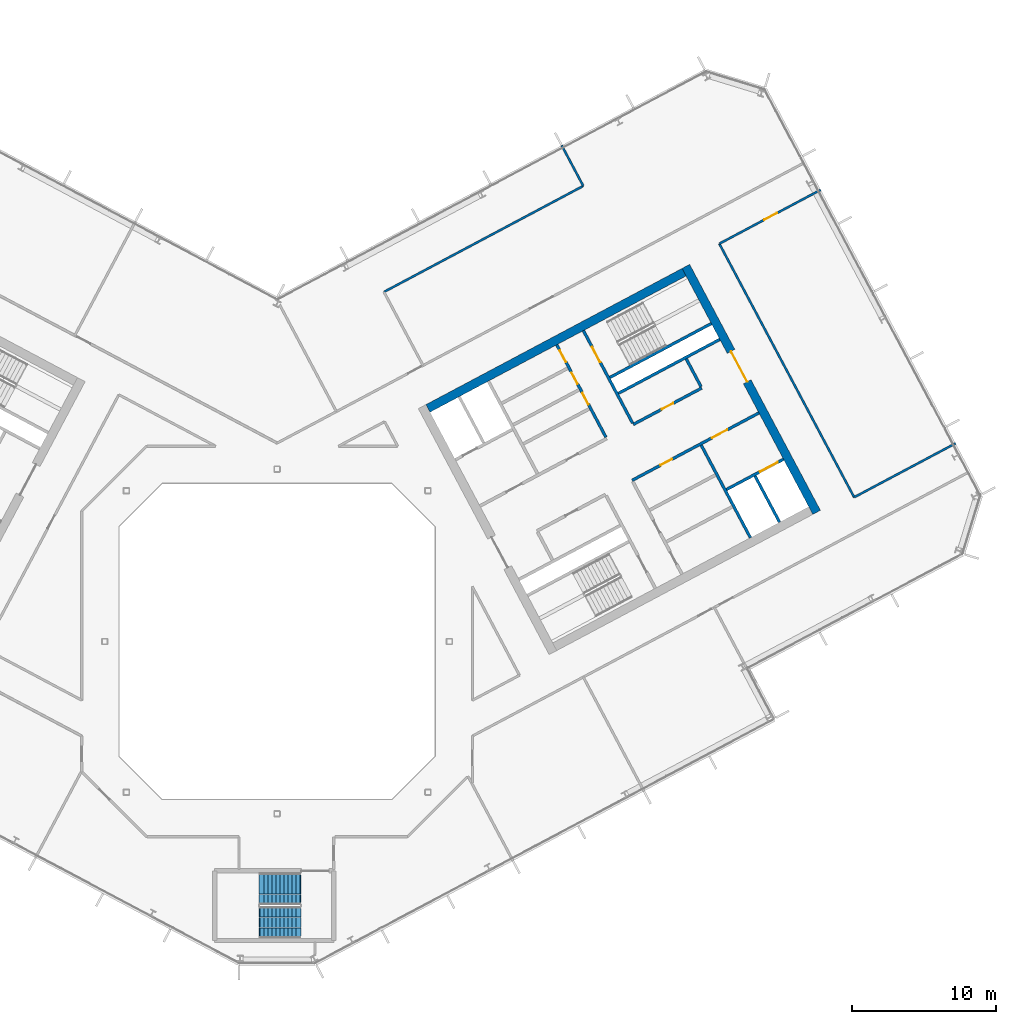
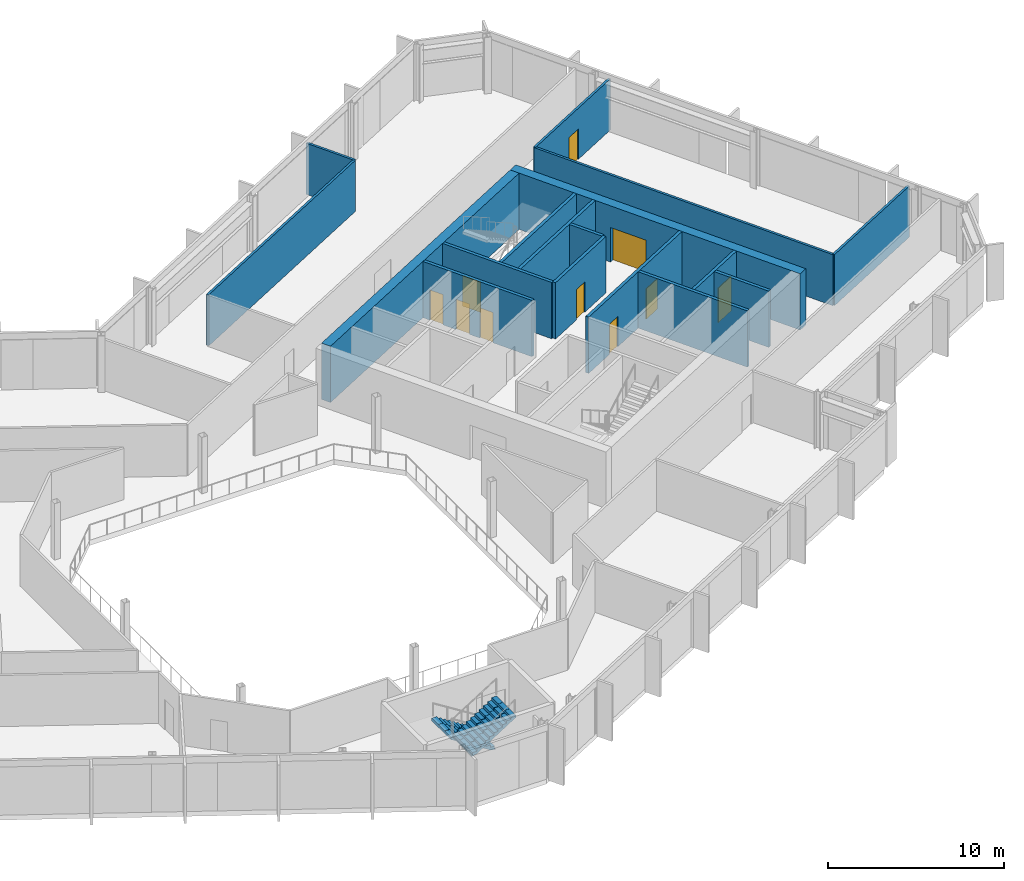
# One storey, part 17 of 27: 17 walls, 10 doors, 2 stair flights, 10 openings, 1 element without a shape of its own.
"""IFC4 building model written with IfcOpenShell, lengths in metres."""

from ifc_helpers import new_model, si_unit, direction, frame, frame_2d, origin, place, context, subcontext, project, spatial, polyline, rectangle, outline, extrude, material, layer, layer_set, type_object, element, fill, aggregate, save


model = new_model("IFC4")

# Units and contexts
model_context = context("Model", 3, precision=1e-05, world=origin(), true_north=direction((0.0, 1.0)))
body_context = subcontext(model_context, "Body", "Model", "MODEL_VIEW")
ifc_project = project(units=[si_unit("LENGTHUNIT", "METRE"), si_unit("AREAUNIT", "SQUARE_METRE"), si_unit("VOLUMEUNIT", "CUBIC_METRE"), si_unit("PLANEANGLEUNIT", "RADIAN"), si_unit("MASSUNIT", "GRAM", prefix="KILO")], contexts=[model_context])

# Site, building, storey
site_placement = place(None, origin())
site = spatial("IfcSite", under=ifc_project, at=site_placement, CompositionType="ELEMENT")
building_placement = place(site_placement, origin())
building = spatial("IfcBuilding", under=site, at=building_placement, Name="Cormorant Relay Tower", CompositionType="ELEMENT")
storey_placement = place(building_placement, frame((0.0, 0.0, 232.5)))
storey = spatial("IfcBuildingStorey", under=building, at=storey_placement, Name="L51", CompositionType="ELEMENT", Elevation=232.5)

# Wall, openings, doors
ifc_material_1 = material(Name="Concrete 50 MPa", Category="concrete")
ifc_layer_1 = layer(ifc_material_1, 0.199951171875)
ifc_layer_set_1 = layer_set([ifc_layer_1], Name="Core shaft wall 200")
wall_type_1 = type_object("IfcWallType", Name="Core shaft wall 200", PredefinedType="SHEAR", material=ifc_layer_set_1)
wall_1_placement = place(storey_placement, frame((22.90625, 14.218017578125, 0.0), z_axis=(0.0, 0.0, 1.0), x_axis=(-0.469480409012, 0.88294288918, 0.0)))
wall_1 = element("IfcWall", 1, at=wall_1_placement, inside=storey, type_object=wall_type_1, Name="L51 core B shaft wall", PredefinedType="SHEAR", context=body_context, shape_type="SweptSolid", body=[
    extrude(rectangle(XDim=7.300048828125, YDim=0.199951171875, at=frame_2d((3.64990234375, 0.0))), origin(), (0.0, 0.0, 1.0), 3.89990234375),
])
opening_1_placement = place(wall_1_placement, frame((2.60009765625, 0.0, 0.0)))
opening_1 = element("IfcOpeningElement", 2, at=opening_1_placement, cuts=wall_1, Name="Opening CDD-283", PredefinedType="OPENING", context=body_context, shape_type="SweptSolid", body=[
    extrude(rectangle(XDim=0.89990234375, YDim=2.10009765625, at=frame_2d((0.449951171875, 1.050048828125))), frame((0.0, 0.10986328125, 0.0), z_axis=(0.0, -1.0, 0.0), x_axis=(1.0, 0.0, 0.0)), (0.0, 0.0, 1.0), 0.219970703125),
])
opening_2_placement = place(wall_1_placement, frame((4.199951171875, 0.0, 0.0)))
opening_2 = element("IfcOpeningElement", 3, at=opening_2_placement, cuts=wall_1, Name="Opening CDD-284", PredefinedType="OPENING", context=body_context, shape_type="SweptSolid", body=[
    extrude(rectangle(XDim=0.89990234375, YDim=2.10009765625, at=frame_2d((0.449951171875, 1.050048828125))), frame((0.0, 0.10986328125, 0.0), z_axis=(0.0, -1.0, 0.0), x_axis=(1.0, 0.0, 0.0)), (0.0, 0.0, 1.0), 0.219970703125),
])
opening_3_placement = place(wall_1_placement, frame((5.949951171875, 0.0, 0.0)))
opening_3 = element("IfcOpeningElement", 4, at=opening_3_placement, cuts=wall_1, Name="Opening CDD-285", PredefinedType="OPENING", context=body_context, shape_type="SweptSolid", body=[
    extrude(rectangle(XDim=0.89990234375, YDim=2.10009765625, at=frame_2d((0.449951171875, 1.050048828125))), frame((0.0, 0.10986328125, 0.0), z_axis=(0.0, -1.0, 0.0), x_axis=(1.0, 0.0, 0.0)), (0.0, 0.0, 1.0), 0.219970703125),
])
ifc_material_2 = material(Name="Steel fire door", Category="steel")
door_type_1 = type_object("IfcDoorType", Name="Core room door 900x2100", OperationType="SINGLE_SWING_LEFT", PredefinedType="DOOR", material=ifc_material_2)
door_1_placement = place(opening_1_placement, origin())
door_1 = element("IfcDoor", 5, at=door_1_placement, inside=storey, type_object=door_type_1, Name="Core room door 900x2100", OperationType="SINGLE_SWING_RIGHT", OverallHeight=2.10009765625, OverallWidth=0.89990234375, PredefinedType="DOOR", context=body_context, shape_type="SweptSolid", body=[
    extrude(rectangle(XDim=0.89990234375, YDim=2.10009765625, at=frame_2d((0.449951171875, 1.050048828125))), frame((0.0, 0.02490234375, 0.0), z_axis=(0.0, -1.0, 0.0), x_axis=(1.0, 0.0, 0.0)), (0.0, 0.0, 1.0), 0.050048828125),
])
fill(opening_1, door_1)
door_2_placement = place(opening_2_placement, origin())
door_2 = element("IfcDoor", 6, at=door_2_placement, inside=storey, type_object=door_type_1, Name="Core room door 900x2100", OperationType="SINGLE_SWING_RIGHT", OverallHeight=2.10009765625, OverallWidth=0.89990234375, PredefinedType="DOOR", context=body_context, shape_type="SweptSolid", body=[
    extrude(rectangle(XDim=0.89990234375, YDim=2.10009765625, at=frame_2d((0.449951171875, 1.050048828125))), frame((0.0, 0.02490234375, 0.0), z_axis=(0.0, -1.0, 0.0), x_axis=(1.0, 0.0, 0.0)), (0.0, 0.0, 1.0), 0.050048828125),
])
fill(opening_2, door_2)
door_3_placement = place(opening_3_placement, origin())
door_3 = element("IfcDoor", 7, at=door_3_placement, inside=storey, type_object=door_type_1, Name="Core room door 900x2100", OperationType="SINGLE_SWING_LEFT", OverallHeight=2.10009765625, OverallWidth=0.89990234375, PredefinedType="DOOR", context=body_context, shape_type="SweptSolid", body=[
    extrude(rectangle(XDim=0.89990234375, YDim=2.10009765625, at=frame_2d((0.449951171875, 1.050048828125))), frame((0.0, 0.02490234375, 0.0), z_axis=(0.0, -1.0, 0.0), x_axis=(1.0, 0.0, 0.0)), (0.0, 0.0, 1.0), 0.050048828125),
])
fill(opening_3, door_3)

# Wall, opening, door
wall_2_placement = place(storey_placement, frame((24.760498046875, 15.2041015625, 0.0), z_axis=(0.0, 0.0, 1.0), x_axis=(-0.469494272526, 0.882935517501, 0.0)))
wall_2 = element("IfcWall", 8, at=wall_2_placement, inside=storey, type_object=wall_type_1, Name="L51 core B shaft wall", PredefinedType="SHEAR", context=body_context, shape_type="SweptSolid", body=[
    extrude(rectangle(XDim=7.2998046875, YDim=0.199951171875, at=frame_2d((3.64990234375, 0.0))), origin(), (0.0, 0.0, 1.0), 3.89990234375),
])
opening_4_placement = place(wall_2_placement, frame((4.800048828125, 0.0, 0.0)))
opening_4 = element("IfcOpeningElement", 9, at=opening_4_placement, cuts=wall_2, Name="Opening CDB-041", PredefinedType="OPENING", context=body_context, shape_type="SweptSolid", body=[
    extrude(rectangle(XDim=1.199951171875, YDim=2.10009765625, at=frame_2d((0.60009765625, 1.050048828125))), frame((0.0, 0.10986328125, 0.0), z_axis=(0.0, -1.0, 0.0), x_axis=(1.0, 0.0, 0.0)), (0.0, 0.0, 1.0), 0.219970703125),
])
ifc_material_3 = material(Name="Steel fire door", Category="steel")
door_type_2 = type_object("IfcDoorType", Name="Core stair door 1200x2100", OperationType="SINGLE_SWING_LEFT", PredefinedType="DOOR", material=ifc_material_3)
door_4_placement = place(opening_4_placement, frame((1.199951171875, 0.0, 0.0), z_axis=(0.0, 0.0, 1.0), x_axis=(-1.0, 0.0, 0.0)))
door_4 = element("IfcDoor", 10, at=door_4_placement, inside=storey, type_object=door_type_2, Name="Core stair door 1200x2100", OperationType="SINGLE_SWING_RIGHT", OverallHeight=2.10009765625, OverallWidth=1.199951171875, PredefinedType="DOOR", context=body_context, shape_type="SweptSolid", body=[
    extrude(rectangle(XDim=1.199951171875, YDim=2.10009765625, at=frame_2d((0.60009765625, 1.050048828125))), frame((0.0, 0.02490234375, 0.0), z_axis=(0.0, -1.0, 0.0), x_axis=(1.0, 0.0, 0.0)), (0.0, 0.0, 1.0), 0.050048828125),
])
fill(opening_4, door_4)

# Walls
wall_3_placement = place(storey_placement, frame((32.968017578125, 7.222900390625, 0.0), z_axis=(0.0, 0.0, 1.0), x_axis=(-0.469480409012, 0.88294288918, 0.0)))
element("IfcWall", 11, at=wall_3_placement, inside=storey, type_object=wall_type_1, Name="L51 core B shaft wall", PredefinedType="SHEAR", context=body_context, shape_type="SweptSolid", body=[
    extrude(rectangle(XDim=7.300048828125, YDim=0.199951171875, at=frame_2d((3.64990234375, 0.0))), origin(), (0.0, 0.0, 1.0), 3.89990234375),
])
wall_4_placement = place(storey_placement, frame((29.5283203125, 17.739013671875, 0.0), z_axis=(0.0, 0.0, 1.0), x_axis=(-0.469401318492, 0.882984938828, 0.0)))
element("IfcWall", 12, at=wall_4_placement, inside=storey, type_object=wall_type_1, Name="L51 core B shaft wall", PredefinedType="SHEAR", context=body_context, shape_type="SweptSolid", body=[
    extrude(rectangle(XDim=2.199951171875, YDim=0.199951171875, at=frame_2d((1.10009765625, 0.0))), origin(), (0.0, 0.0, 1.0), 3.89990234375),
])
wall_5_placement = place(storey_placement, frame((34.998779296875, 8.302734375, 0.0), z_axis=(0.0, 0.0, 1.0), x_axis=(-0.4694665462, 0.882950260207, 0.0)))
element("IfcWall", 13, at=wall_5_placement, inside=storey, type_object=wall_type_1, Name="L51 core B shaft wall", PredefinedType="SHEAR", context=body_context, shape_type="SweptSolid", body=[
    extrude(rectangle(XDim=3.650146484375, YDim=0.199951171875, at=frame_2d((1.8251953125, 0.0))), origin(), (0.0, 0.0, 1.0), 3.89990234375),
])

# Wall, opening, door
wall_6_placement = place(storey_placement, frame((31.295654296875, 10.5810546875, 0.0), z_axis=(0.0, 0.0, 1.0), x_axis=(0.882960433586, 0.469447412093, 0.0)))
wall_6 = element("IfcWall", 14, at=wall_6_placement, inside=storey, type_object=wall_type_1, Name="L51 core B shaft wall", PredefinedType="SHEAR", context=body_context, shape_type="SweptSolid", body=[
    extrude(rectangle(XDim=4.5, YDim=0.199951171875, at=frame_2d((2.25, 0.0))), origin(), (0.0, 0.0, 1.0), 3.89990234375),
])
opening_5_placement = place(wall_6_placement, frame((2.64990234375, 0.0, 0.0)))
opening_5 = element("IfcOpeningElement", 15, at=opening_5_placement, cuts=wall_6, Name="Opening LD3-016", PredefinedType="OPENING", context=body_context, shape_type="SweptSolid", body=[
    extrude(rectangle(XDim=1.39990234375, YDim=2.39990234375, at=frame_2d((0.699951171875, 1.199951171875))), frame((0.0, 0.10986328125, 0.0), z_axis=(0.0, -1.0, 0.0), x_axis=(1.0, 0.0, 0.0)), (0.0, 0.0, 1.0), 0.219970703125),
])
ifc_material_4 = material(Name="Stainless steel 316", Category="steel")
door_type_3 = type_object("IfcDoorType", Name="Lift landing door 1400x2400", OperationType="DOUBLE_DOOR_SLIDING", PredefinedType="DOOR", material=ifc_material_4)
door_5_placement = place(opening_5_placement, origin())
door_5 = element("IfcDoor", 16, at=door_5_placement, inside=storey, type_object=door_type_3, Name="SV2 landing door", OperationType="DOUBLE_DOOR_SLIDING", OverallHeight=2.39990234375, OverallWidth=1.39990234375, PredefinedType="DOOR", context=body_context, shape_type="SweptSolid", body=[
    extrude(rectangle(XDim=1.39990234375, YDim=2.39990234375, at=frame_2d((0.699951171875, 1.199951171875))), frame((0.0, 0.02490234375, 0.0), z_axis=(0.0, -1.0, 0.0), x_axis=(1.0, 0.0, 0.0)), (0.0, 0.0, 1.0), 0.050048828125),
])
fill(opening_5, door_5)

# Wall, openings, doors
wall_7_placement = place(storey_placement, frame((24.72607421875, 11.2216796875, 0.0), z_axis=(0.0, 0.0, 1.0), x_axis=(0.882940221191, 0.469485426614, 0.0)))
wall_7 = element("IfcWall", 17, at=wall_7_placement, inside=storey, type_object=wall_type_1, Name="L51 core B shaft wall", PredefinedType="SHEAR", context=body_context, shape_type="SweptSolid", body=[
    extrude(rectangle(XDim=10.0, YDim=0.199951171875, at=frame_2d((5.0, 0.0))), origin(), (0.0, 0.0, 1.0), 3.89990234375),
])
opening_6_placement = place(wall_7_placement, frame((6.300048828125, 0.0, 0.0)))
opening_6 = element("IfcOpeningElement", 18, at=opening_6_placement, cuts=wall_7, Name="Opening CDC-038", PredefinedType="OPENING", context=body_context, shape_type="SweptSolid", body=[
    extrude(rectangle(XDim=1.199951171875, YDim=2.10009765625, at=frame_2d((0.60009765625, 1.050048828125))), frame((0.0, 0.10986328125, 0.0), z_axis=(0.0, -1.0, 0.0), x_axis=(1.0, 0.0, 0.0)), (0.0, 0.0, 1.0), 0.219970703125),
])
opening_7_placement = place(wall_7_placement, frame((2.25, 0.0, 0.0)))
opening_7 = element("IfcOpeningElement", 19, at=opening_7_placement, cuts=wall_7, Name="Opening CDD-263", PredefinedType="OPENING", context=body_context, shape_type="SweptSolid", body=[
    extrude(rectangle(XDim=0.89990234375, YDim=2.10009765625, at=frame_2d((0.449951171875, 1.050048828125))), frame((0.0, 0.10986328125, 0.0), z_axis=(0.0, -1.0, 0.0), x_axis=(1.0, 0.0, 0.0)), (0.0, 0.0, 1.0), 0.219970703125),
])
ifc_material_5 = material(Name="Steel fire door", Category="steel")
door_type_4 = type_object("IfcDoorType", Name="Core lobby door 1200x2100", OperationType="SINGLE_SWING_LEFT", PredefinedType="DOOR", material=ifc_material_5)
door_6_placement = place(opening_6_placement, origin())
door_6 = element("IfcDoor", 20, at=door_6_placement, inside=storey, type_object=door_type_4, Name="Core lobby door 1200x2100", OperationType="SINGLE_SWING_LEFT", OverallHeight=2.10009765625, OverallWidth=1.199951171875, PredefinedType="DOOR", context=body_context, shape_type="SweptSolid", body=[
    extrude(rectangle(XDim=1.199951171875, YDim=2.10009765625, at=frame_2d((0.60009765625, 1.050048828125))), frame((0.0, 0.02490234375, 0.0), z_axis=(0.0, -1.0, 0.0), x_axis=(1.0, 0.0, 0.0)), (0.0, 0.0, 1.0), 0.050048828125),
])
fill(opening_6, door_6)
door_7_placement = place(opening_7_placement, frame((0.89990234375, 0.0, 0.0), z_axis=(0.0, 0.0, 1.0), x_axis=(-1.0, 0.0, 0.0)))
door_7 = element("IfcDoor", 21, at=door_7_placement, inside=storey, type_object=door_type_1, Name="Core room door 900x2100", OperationType="SINGLE_SWING_RIGHT", OverallHeight=2.10009765625, OverallWidth=0.89990234375, PredefinedType="DOOR", context=body_context, shape_type="SweptSolid", body=[
    extrude(rectangle(XDim=0.89990234375, YDim=2.10009765625, at=frame_2d((0.449951171875, 1.050048828125))), frame((0.0, 0.02490234375, 0.0), z_axis=(0.0, -1.0, 0.0), x_axis=(1.0, 0.0, 0.0)), (0.0, 0.0, 1.0), 0.050048828125),
])
fill(opening_7, door_7)

# Wall, opening, door
wall_8_placement = place(storey_placement, frame((24.807373046875, 15.11572265625, 0.0), z_axis=(0.0, 0.0, 1.0), x_axis=(0.882942972946, 0.469480251476, 0.0)))
wall_8 = element("IfcWall", 22, at=wall_8_placement, inside=storey, type_object=wall_type_1, Name="L51 core B shaft wall", PredefinedType="SHEAR", context=body_context, shape_type="SweptSolid", body=[
    extrude(rectangle(XDim=5.39990234375, YDim=0.199951171875, at=frame_2d((2.699951171875, 0.0))), origin(), (0.0, 0.0, 1.0), 3.89990234375),
])
opening_8_placement = place(wall_8_placement, frame((2.25, 0.0, 0.0)))
opening_8 = element("IfcOpeningElement", 23, at=opening_8_placement, cuts=wall_8, Name="Opening CDD-261", PredefinedType="OPENING", context=body_context, shape_type="SweptSolid", body=[
    extrude(rectangle(XDim=0.89990234375, YDim=2.10009765625, at=frame_2d((0.449951171875, 1.050048828125))), frame((0.0, 0.10986328125, 0.0), z_axis=(0.0, -1.0, 0.0), x_axis=(1.0, 0.0, 0.0)), (0.0, 0.0, 1.0), 0.219970703125),
])
door_8_placement = place(opening_8_placement, origin())
door_8 = element("IfcDoor", 24, at=door_8_placement, inside=storey, type_object=door_type_1, Name="Core room door 900x2100", OperationType="SINGLE_SWING_LEFT", OverallHeight=2.10009765625, OverallWidth=0.89990234375, PredefinedType="DOOR", context=body_context, shape_type="SweptSolid", body=[
    extrude(rectangle(XDim=0.89990234375, YDim=2.10009765625, at=frame_2d((0.449951171875, 1.050048828125))), frame((0.0, 0.02490234375, 0.0), z_axis=(0.0, -1.0, 0.0), x_axis=(1.0, 0.0, 0.0)), (0.0, 0.0, 1.0), 0.050048828125),
])
fill(opening_8, door_8)

# Walls
wall_9_placement = place(storey_placement, frame((23.76904296875, 17.28173828125, 0.0), z_axis=(0.0, 0.0, 1.0), x_axis=(0.882940221191, 0.469485426614, 0.0)))
element("IfcWall", 25, at=wall_9_placement, inside=storey, type_object=wall_type_1, Name="L51 core B shaft wall", PredefinedType="SHEAR", context=body_context, shape_type="SweptSolid", body=[
    extrude(rectangle(XDim=8.0, YDim=0.199951171875, at=frame_2d((4.0, 0.0))), origin(), (0.0, 0.0, 1.0), 3.89990234375),
])
wall_10_placement = place(storey_placement, frame((23.18212890625, 18.385498046875, 0.0), z_axis=(0.0, 0.0, 1.0), x_axis=(0.88295287151, 0.469461634952, 0.0)))
element("IfcWall", 26, at=wall_10_placement, inside=storey, type_object=wall_type_1, Name="L51 core B shaft wall", PredefinedType="SHEAR", context=body_context, shape_type="SweptSolid", body=[
    extrude(rectangle(XDim=7.999755859375, YDim=0.199951171875, at=frame_2d((4.0, 0.0))), origin(), (0.0, 0.0, 1.0), 3.89990234375),
])

# Wall, opening, door
ifc_material_6 = material(Name="Concrete 50 MPa", Category="concrete")
ifc_layer_2 = layer(ifc_material_6, 0.60009765625)
ifc_layer_set_2 = layer_set([ifc_layer_2], Name="Core wall 600")
wall_type_2 = type_object("IfcWallType", Name="Core wall 600", PredefinedType="SHEAR", material=ifc_layer_set_2)
wall_11_placement = place(storey_placement, frame((37.576171875, 8.99365234375, 0.0), z_axis=(0.0, 0.0, 1.0), x_axis=(-0.469478769487, 0.88294376095, 0.0)))
wall_11 = element("IfcWall", 27, at=wall_11_placement, inside=storey, type_object=wall_type_2, Name="L51 core B wall", PredefinedType="SHEAR", context=body_context, shape_type="SweptSolid", body=[
    extrude(rectangle(XDim=19.400146484375, YDim=0.60009765625, at=frame_2d((9.7001953125, 0.0))), origin(), (0.0, 0.0, 1.0), 3.89990234375),
])
opening_9_placement = place(wall_11_placement, frame((10.300048828125, 0.0, 0.0)))
opening_9 = element("IfcOpeningElement", 28, at=opening_9_placement, cuts=wall_11, Name="Opening CDA-043", PredefinedType="OPENING", context=body_context, shape_type="SweptSolid", body=[
    extrude(rectangle(XDim=2.39990234375, YDim=2.39990234375, at=frame_2d((1.199951171875, 1.199951171875))), frame((0.0, 0.31005859375, 0.0), z_axis=(0.0, -1.0, 0.0), x_axis=(1.0, 0.0, 0.0)), (0.0, 0.0, 1.0), 0.6201171875),
])
ifc_material_7 = material(Name="Steel fire door", Category="steel")
door_type_5 = type_object("IfcDoorType", Name="Core lobby door 2400x2400", OperationType="DOUBLE_DOOR_SINGLE_SWING", PredefinedType="DOOR", material=ifc_material_7)
door_9_placement = place(opening_9_placement, origin())
door_9 = element("IfcDoor", 29, at=door_9_placement, inside=storey, type_object=door_type_5, Name="Core lobby door 2400x2400", OperationType="DOUBLE_DOOR_SINGLE_SWING", OverallHeight=2.39990234375, OverallWidth=2.39990234375, PredefinedType="DOOR", context=body_context, shape_type="SweptSolid", body=[
    extrude(rectangle(XDim=2.39990234375, YDim=2.39990234375, at=frame_2d((1.199951171875, 1.199951171875))), frame((0.0, 0.02490234375, 0.0), z_axis=(0.0, -1.0, 0.0), x_axis=(1.0, 0.0, 0.0)), (0.0, 0.0, 1.0), 0.050048828125),
])
fill(opening_9, door_9)

# Wall
wall_12_placement = place(storey_placement, frame((10.5087890625, 16.23388671875, 0.0), z_axis=(0.0, 0.0, 1.0), x_axis=(0.88295010195, 0.469466843842, 0.0)))
element("IfcWall", 30, at=wall_12_placement, inside=storey, type_object=wall_type_2, Name="L51 core B wall", PredefinedType="SHEAR", context=body_context, shape_type="SweptSolid", body=[
    extrude(rectangle(XDim=20.199951171875, YDim=0.60009765625, at=frame_2d((10.10009765625, 0.0))), origin(), (0.0, 0.0, 1.0), 3.89990234375),
])

# Wall, opening, door
ifc_material_8 = material(Name="Gypsum board fire partition")
ifc_layer_3 = layer(ifc_material_8, 0.14990234375)
ifc_layer_set_3 = layer_set([ifc_layer_3], Name="Corridor partition 150 EI 60")
wall_type_3 = type_object("IfcWallType", Name="Corridor partition 150 EI 60", PredefinedType="PARTITIONING", material=ifc_layer_set_3)
wall_13_placement = place(storey_placement, frame((37.863037109375, 31.4580078125, 0.0), z_axis=(0.0, 0.0, 1.0), x_axis=(-0.882914115089, -0.469534519898, 0.0)))
wall_13 = element("IfcWall", 31, at=wall_13_placement, inside=storey, type_object=wall_type_3, Name="wall/L51/part/039", PredefinedType="PARTITIONING", context=body_context, shape_type="SweptSolid", body=[
    extrude(rectangle(XDim=7.99951171875, YDim=0.14990234375, at=frame_2d((3.999755859375, 0.0))), origin(), (0.0, 0.0, 1.0), 3.5400390625),
])
opening_10_placement = place(wall_13_placement, frame((3.450927734375, 0.0, 0.0)))
opening_10 = element("IfcOpeningElement", 32, at=opening_10_placement, cuts=wall_13, Name="Opening DS-137", PredefinedType="OPENING", context=body_context, shape_type="SweptSolid", body=[
    extrude(rectangle(XDim=1.0, YDim=2.10009765625, at=frame_2d((0.5, 1.050048828125))), frame((0.0, 0.0849609375, 0.0), z_axis=(0.0, -1.0, 0.0), x_axis=(1.0, 0.0, 0.0)), (0.0, 0.0, 1.0), 0.169921875),
])
ifc_material_9 = material(Name="Timber door leaf", Category="wood")
door_type_6 = type_object("IfcDoorType", Name="Suite door 1000x2100", OperationType="SINGLE_SWING_LEFT", PredefinedType="DOOR", material=ifc_material_9)
door_10_placement = place(opening_10_placement, origin())
door_10 = element("IfcDoor", 33, at=door_10_placement, inside=storey, type_object=door_type_6, Name="door/L51/019", OperationType="SINGLE_SWING_RIGHT", OverallHeight=2.10009765625, OverallWidth=1.0, PredefinedType="DOOR", context=body_context, shape_type="SweptSolid", body=[
    extrude(rectangle(XDim=1.0, YDim=2.10009765625, at=frame_2d((0.5, 1.050048828125))), frame((0.0, 0.02490234375, 0.0), z_axis=(0.0, -1.0, 0.0), x_axis=(1.0, 0.0, 0.0)), (0.0, 0.0, 1.0), 0.050048828125),
])
fill(opening_10, door_10)

# Walls
wall_14_placement = place(storey_placement, frame((30.800048828125, 27.701904296875, 0.0), z_axis=(0.0, 0.0, 1.0), x_axis=(0.469451816494, -0.882958091865, 0.0)))
element("IfcWall", 34, at=wall_14_placement, inside=storey, type_object=wall_type_3, Name="wall/L51/part/040", PredefinedType="PARTITIONING", context=body_context, shape_type="SweptSolid", body=[
    extrude(rectangle(XDim=19.999755859375, YDim=0.14990234375, at=frame_2d((10.0, 0.0))), origin(), (0.0, 0.0, 1.0), 3.5400390625),
])
wall_15_placement = place(storey_placement, frame((40.18896484375, 10.04296875, 0.0), z_axis=(0.0, 0.0, 1.0), x_axis=(0.882991619958, 0.469388750487, 0.0)))
element("IfcWall", 35, at=wall_15_placement, inside=storey, type_object=wall_type_3, Name="wall/L51/part/041", PredefinedType="PARTITIONING", context=body_context, shape_type="SweptSolid", body=[
    extrude(rectangle(XDim=8.0, YDim=0.14990234375, at=frame_2d((4.0, 0.0))), origin(), (0.0, 0.0, 1.0), 3.5400390625),
])
ifc_material_10 = material(Name="Gypsum board partition")
ifc_layer_4 = layer(ifc_material_10, 0.14990234375)
ifc_layer_set_4 = layer_set([ifc_layer_4], Name="Tenant partition 150")
wall_type_4 = type_object("IfcWallType", Name="Tenant partition 150", PredefinedType="PARTITIONING", material=ifc_layer_set_4)
wall_16_placement = place(storey_placement, frame((19.822021484375, 34.550048828125, 0.0), z_axis=(0.0, 0.0, 1.0), x_axis=(0.469320691295, -0.883027796121, 0.0)))
element("IfcWall", 36, at=wall_16_placement, inside=storey, type_object=wall_type_4, Name="wall/L51/part/031", PredefinedType="PARTITIONING", context=body_context, shape_type="SweptSolid", body=[
    extrude(rectangle(XDim=3.2001953125, YDim=0.14990234375, at=frame_2d((1.60009765625, 0.0))), origin(), (0.0, 0.0, 1.0), 3.5400390625),
])
wall_17_placement = place(storey_placement, frame((7.443115234375, 24.343017578125, 0.0), z_axis=(0.0, 0.0, 1.0), x_axis=(0.882933890587, 0.469497332104, 0.0)))
element("IfcWall", 37, at=wall_17_placement, inside=storey, type_object=wall_type_4, Name="wall/L51/part/033", PredefinedType="PARTITIONING", context=body_context, shape_type="SweptSolid", body=[
    extrude(rectangle(XDim=15.72119140625, YDim=0.14990234375, at=frame_2d((7.860595703125, 0.0))), origin(), (0.0, 0.0, 1.0), 3.5400390625),
])

# Stair, stair flights
ifc_material_11 = material(Name="Concrete 40 MPa", Category="concrete")
stair_type = type_object("IfcStairType", Name="Remote exit stair 2200", PredefinedType="HALF_TURN_STAIR", material=ifc_material_11)
stair_placement = place(storey_placement, origin())
stair = element("IfcStair", 38, at=stair_placement, inside=storey, type_object=stair_type, Name="L51 Stair", PredefinedType="HALF_TURN_STAIR")
ifc_material_12 = material(Name="Concrete 40 MPa", Category="concrete")
stair_flight_type = type_object("IfcStairFlightType", Name="Remote exit stair flight 2200", PredefinedType="STRAIGHT", material=ifc_material_12)
stair_flight_1_placement = place(storey_placement, frame((1.60009765625, -17.22509765625, 0.0), z_axis=(0.0, 0.0, 1.0), x_axis=(-1.0, 0.0, 0.0)))
stair_flight_1 = element("IfcStairFlight", 39, at=stair_flight_1_placement, type_object=stair_flight_type, Name="RK1 flight 1", NumberOfRisers=11, NumberOfTreads=10, PredefinedType="STRAIGHT", RiserHeight=0.177272727, TreadLength=0.28, context=body_context, shape_type="SweptSolid", body=[
    extrude(outline(polyline([(-0.050048828125, -0.080078125), (-0.050048828125, 0.0), (0.0, 0.0), (0.0, 0.17724609375), (0.280029296875, 0.17724609375), (0.280029296875, 0.3544921875), (0.56005859375, 0.3544921875), (0.56005859375, 0.53173828125), (0.840087890625, 0.53173828125), (0.840087890625, 0.708984375), (1.1201171875, 0.708984375), (1.1201171875, 0.886474609375), (1.39990234375, 0.886474609375), (1.39990234375, 1.063720703125), (1.679931640625, 1.063720703125), (1.679931640625, 1.240966796875), (1.9599609375, 1.240966796875), (1.9599609375, 1.418212890625), (2.239990234375, 1.418212890625), (2.239990234375, 1.595458984375), (2.52001953125, 1.595458984375), (2.52001953125, 1.772705078125), (2.800048828125, 1.772705078125), (2.85009765625, 1.772705078125), (2.85009765625, 1.59521484375), (2.800048828125, 1.59521484375), (0.2802734375, 0.0), (-0.050048828125, -0.080078125)])), frame((0.0, 1.10009765625, 0.0), z_axis=(0.0, -1.0, 0.0), x_axis=(1.0, 0.0, 0.0)), (0.0, 0.0, 1.0), 0.719970703125),
    extrude(outline(polyline([(-0.050048828125, -0.080078125), (-0.050048828125, 0.0), (0.0, 0.0), (0.0, 0.17724609375), (0.280029296875, 0.17724609375), (0.280029296875, 0.3544921875), (0.56005859375, 0.3544921875), (0.56005859375, 0.53173828125), (0.840087890625, 0.53173828125), (0.840087890625, 0.708984375), (1.1201171875, 0.708984375), (1.1201171875, 0.886474609375), (1.39990234375, 0.886474609375), (1.39990234375, 1.063720703125), (1.679931640625, 1.063720703125), (1.679931640625, 1.240966796875), (1.9599609375, 1.240966796875), (1.9599609375, 1.418212890625), (2.239990234375, 1.418212890625), (2.239990234375, 1.595458984375), (2.52001953125, 1.595458984375), (2.52001953125, 1.772705078125), (2.800048828125, 1.772705078125), (2.85009765625, 1.772705078125), (2.85009765625, 1.59521484375), (2.800048828125, 1.59521484375), (0.2802734375, 0.0), (-0.050048828125, -0.080078125)])), frame((0.0, 0.360107421875, 0.0), z_axis=(0.0, -1.0, 0.0), x_axis=(1.0, 0.0, 0.0)), (0.0, 0.0, 1.0), 0.719970703125),
    extrude(outline(polyline([(-0.050048828125, -0.080078125), (-0.050048828125, 0.0), (0.0, 0.0), (0.0, 0.17724609375), (0.280029296875, 0.17724609375), (0.280029296875, 0.3544921875), (0.56005859375, 0.3544921875), (0.56005859375, 0.53173828125), (0.840087890625, 0.53173828125), (0.840087890625, 0.708984375), (1.1201171875, 0.708984375), (1.1201171875, 0.886474609375), (1.39990234375, 0.886474609375), (1.39990234375, 1.063720703125), (1.679931640625, 1.063720703125), (1.679931640625, 1.240966796875), (1.9599609375, 1.240966796875), (1.9599609375, 1.418212890625), (2.239990234375, 1.418212890625), (2.239990234375, 1.595458984375), (2.52001953125, 1.595458984375), (2.52001953125, 1.772705078125), (2.800048828125, 1.772705078125), (2.85009765625, 1.772705078125), (2.85009765625, 1.59521484375), (2.800048828125, 1.59521484375), (0.2802734375, 0.0), (-0.050048828125, -0.080078125)])), frame((0.0, -0.3798828125, 0.0), z_axis=(0.0, -1.0, 0.0), x_axis=(1.0, 0.0, 0.0)), (0.0, 0.0, 1.0), 0.719970703125),
])
stair_flight_2_placement = place(storey_placement, frame((-1.199951171875, -19.574951171875, 1.949951171875), z_axis=(0.0, 0.0, 1.0), x_axis=(1.0, 0.0, 0.0)))
stair_flight_2 = element("IfcStairFlight", 40, at=stair_flight_2_placement, type_object=stair_flight_type, Name="RK1 flight 2", NumberOfRisers=11, NumberOfTreads=10, PredefinedType="STRAIGHT", RiserHeight=0.177272727, TreadLength=0.28, context=body_context, shape_type="SweptSolid", body=[
    extrude(outline(polyline([(-0.050048828125, -0.080078125), (-0.050048828125, 0.0), (0.0, 0.0), (0.0, 0.17724609375), (0.280029296875, 0.17724609375), (0.280029296875, 0.3544921875), (0.56005859375, 0.3544921875), (0.56005859375, 0.53173828125), (0.840087890625, 0.53173828125), (0.840087890625, 0.708984375), (1.1201171875, 0.708984375), (1.1201171875, 0.886474609375), (1.39990234375, 0.886474609375), (1.39990234375, 1.063720703125), (1.679931640625, 1.063720703125), (1.679931640625, 1.240966796875), (1.9599609375, 1.240966796875), (1.9599609375, 1.418212890625), (2.239990234375, 1.418212890625), (2.239990234375, 1.595458984375), (2.52001953125, 1.595458984375), (2.52001953125, 1.772705078125), (2.800048828125, 1.772705078125), (2.85009765625, 1.772705078125), (2.85009765625, 1.59521484375), (2.800048828125, 1.59521484375), (0.2802734375, 0.0), (-0.050048828125, -0.080078125)])), frame((0.0, 1.10009765625, 0.0), z_axis=(0.0, -1.0, 0.0), x_axis=(1.0, 0.0, 0.0)), (0.0, 0.0, 1.0), 0.719970703125),
    extrude(outline(polyline([(-0.050048828125, -0.080078125), (-0.050048828125, 0.0), (0.0, 0.0), (0.0, 0.17724609375), (0.280029296875, 0.17724609375), (0.280029296875, 0.3544921875), (0.56005859375, 0.3544921875), (0.56005859375, 0.53173828125), (0.840087890625, 0.53173828125), (0.840087890625, 0.708984375), (1.1201171875, 0.708984375), (1.1201171875, 0.886474609375), (1.39990234375, 0.886474609375), (1.39990234375, 1.063720703125), (1.679931640625, 1.063720703125), (1.679931640625, 1.240966796875), (1.9599609375, 1.240966796875), (1.9599609375, 1.418212890625), (2.239990234375, 1.418212890625), (2.239990234375, 1.595458984375), (2.52001953125, 1.595458984375), (2.52001953125, 1.772705078125), (2.800048828125, 1.772705078125), (2.85009765625, 1.772705078125), (2.85009765625, 1.59521484375), (2.800048828125, 1.59521484375), (0.2802734375, 0.0), (-0.050048828125, -0.080078125)])), frame((0.0, 0.360107421875, 0.0), z_axis=(0.0, -1.0, 0.0), x_axis=(1.0, 0.0, 0.0)), (0.0, 0.0, 1.0), 0.719970703125),
    extrude(outline(polyline([(-0.050048828125, -0.080078125), (-0.050048828125, 0.0), (0.0, 0.0), (0.0, 0.17724609375), (0.280029296875, 0.17724609375), (0.280029296875, 0.3544921875), (0.56005859375, 0.3544921875), (0.56005859375, 0.53173828125), (0.840087890625, 0.53173828125), (0.840087890625, 0.708984375), (1.1201171875, 0.708984375), (1.1201171875, 0.886474609375), (1.39990234375, 0.886474609375), (1.39990234375, 1.063720703125), (1.679931640625, 1.063720703125), (1.679931640625, 1.240966796875), (1.9599609375, 1.240966796875), (1.9599609375, 1.418212890625), (2.239990234375, 1.418212890625), (2.239990234375, 1.595458984375), (2.52001953125, 1.595458984375), (2.52001953125, 1.772705078125), (2.800048828125, 1.772705078125), (2.85009765625, 1.772705078125), (2.85009765625, 1.59521484375), (2.800048828125, 1.59521484375), (0.2802734375, 0.0), (-0.050048828125, -0.080078125)])), frame((0.0, -0.3798828125, 0.0), z_axis=(0.0, -1.0, 0.0), x_axis=(1.0, 0.0, 0.0)), (0.0, 0.0, 1.0), 0.719970703125),
])
aggregate(stair, [stair_flight_1, stair_flight_2])

save(model, "model.ifc")
